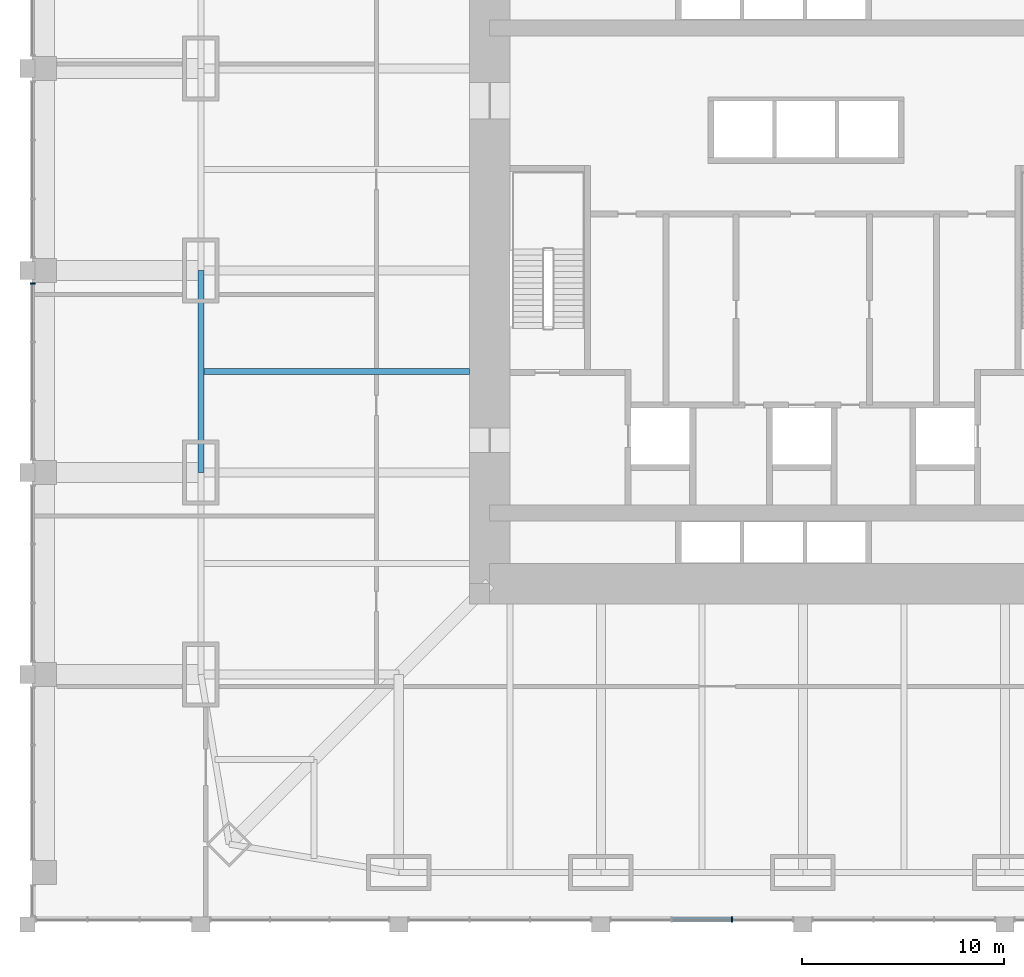
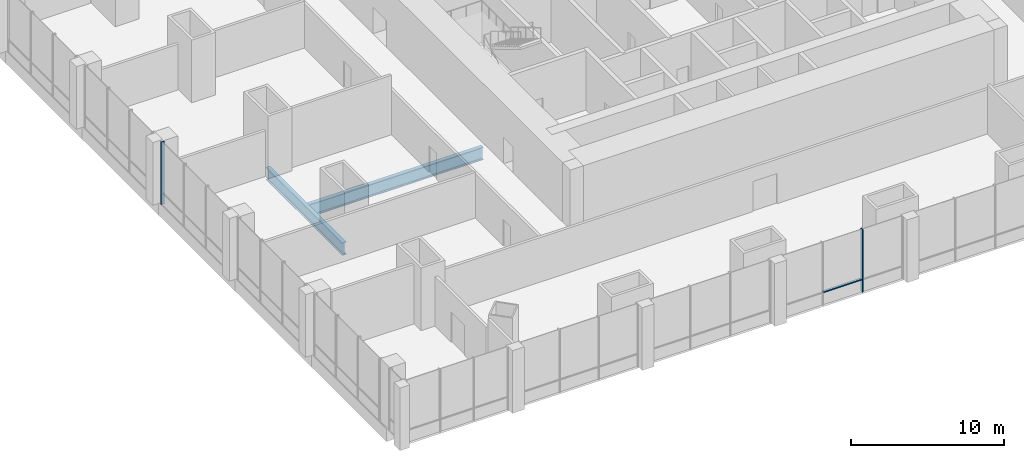
# One storey, part 3 of 22: 3 members, 2 beams, 2 elements without a shape of their own.
"""IFC4 building model written with IfcOpenShell, lengths in metres."""

from ifc_helpers import new_model, si_unit, direction, frame, origin, origin_2d, place, context, subcontext, project, spatial, rectangle, i_section, extrude, material, material_profile, profile_set, type_object, element, aggregate, save


model = new_model("IFC4")

# Units and contexts
model_context = context("Model", 3, precision=1e-05, world=origin(), true_north=direction((0.0, 1.0)))
body_context = subcontext(model_context, "Body", "Model", "MODEL_VIEW")
ifc_project = project(units=[si_unit("LENGTHUNIT", "METRE"), si_unit("AREAUNIT", "SQUARE_METRE"), si_unit("VOLUMEUNIT", "CUBIC_METRE"), si_unit("PLANEANGLEUNIT", "RADIAN"), si_unit("MASSUNIT", "GRAM", prefix="KILO")], contexts=[model_context])

# Site, building, storey
site_placement = place(None, origin())
site = spatial("IfcSite", under=ifc_project, at=site_placement, CompositionType="ELEMENT")
building_placement = place(site_placement, origin())
building = spatial("IfcBuilding", under=site, at=building_placement, Name="Khuree Lantern Residences", CompositionType="ELEMENT")
storey_placement = place(building_placement, frame((0.0, 0.0, 16.0)))
storey = spatial("IfcBuildingStorey", under=building, at=storey_placement, Name="L03", CompositionType="ELEMENT", Elevation=16.0)

# Beams
ifc_material_1 = material(Name="Steel S355", Category="steel")
ifc_material_profile_1 = material_profile(ifc_material_1, i_section(OverallWidth=0.300048828125, OverallDepth=1.0, WebThickness=0.01904296875, FlangeThickness=0.035888671875, FilletRadius=0.030029296875, at=origin_2d()), Name="HE 1000 B")
ifc_profile_set_1 = profile_set([ifc_material_profile_1], Name="Steel S355")
beam_type_1 = type_object("IfcBeamType", Name="B-03 SECONDARY BEAM HE 1000 B", PredefinedType="BEAM", material=ifc_profile_set_1)
beam_1_placement = place(storey_placement, frame((-29.800048828125, -5.0, -0.800048828125), z_axis=(1.0, 0.0, 0.0), x_axis=(0.0, 1.0, 0.0)))
element("IfcBeam", 1, at=beam_1_placement, inside=storey, type_object=beam_type_1, Name="Secondary beam W3", PredefinedType="BEAM", context=body_context, shape_type="SweptSolid", body=[
    extrude(i_section(OverallWidth=0.300048828125, OverallDepth=1.0, WebThickness=0.01904296875, FlangeThickness=0.035888671875, FilletRadius=0.030029296875, at=origin_2d()), origin(), (0.0, 0.0, 1.0), 13.300048828125),
])
ifc_material_profile_2 = material_profile(ifc_material_1, i_section(OverallWidth=0.300048828125, OverallDepth=1.0, WebThickness=0.01904296875, FlangeThickness=0.035888671875, FilletRadius=0.030029296875, at=origin_2d()), Name="HE 1000 B")
ifc_profile_set_2 = profile_set([ifc_material_profile_2], Name="Steel S355")
beam_type_2 = type_object("IfcBeamType", Name="E-03 SPANDREL BEAM HE 1000 B", PredefinedType="SPANDREL", material=ifc_profile_set_2)
beam_2_placement = place(storey_placement, frame((-29.800048828125, -10.0, -0.800048828125), z_axis=(0.0, 1.0, 0.0), x_axis=(-1.0, 0.0, 0.0)))
element("IfcBeam", 2, at=beam_2_placement, inside=storey, type_object=beam_type_2, Name="Spandrel beam W3", PredefinedType="SPANDREL", context=body_context, shape_type="SweptSolid", body=[
    extrude(i_section(OverallWidth=0.300048828125, OverallDepth=1.0, WebThickness=0.01904296875, FlangeThickness=0.035888671875, FilletRadius=0.030029296875, at=origin_2d()), origin(), (0.0, 0.0, 1.0), 10.0),
])

# Curtain wall, member
ifc_material_2 = material(Name="Bronze anodised aluminium", Category="aluminium")
curtain_wall_type = type_object("IfcCurtainWallType", Name="CW-P PODIUM STOREFRONT CURTAIN WALL", PredefinedType="USERDEFINED", material=ifc_material_2)
curtain_wall_1_placement = place(storey_placement, origin())
curtain_wall_1 = element("IfcCurtainWall", 3, at=curtain_wall_1_placement, inside=storey, type_object=curtain_wall_type, Name="L03 SOUTH FACE BAY 4 STOREFRONT", ObjectType="Storefront curtain wall", PredefinedType="USERDEFINED")
ifc_material_profile_3 = material_profile(ifc_material_2, rectangle(XDim=0.074951171875, YDim=0.25, at=origin_2d()), Name="M5 75X250")
ifc_profile_set_3 = profile_set([ifc_material_profile_3], Name="Bronze anodised aluminium")
member_type_1 = type_object("IfcMemberType", Name="MULLION M5 STOREFRONT 75X250", PredefinedType="MULLION", material=ifc_profile_set_3)
member_1_placement = place(storey_placement, frame((-3.495849609375, -32.125, 0.0), z_axis=(0.0, 0.0, 1.0), x_axis=(1.0, 0.0, 0.0)))
member_1 = element("IfcMember", 4, at=member_1_placement, type_object=member_type_1, Name="L03 SOUTH FACE BAY 4 MULLION 3", PredefinedType="MULLION", context=body_context, shape_type="SweptSolid", body=[
    extrude(rectangle(XDim=0.074951171875, YDim=0.25, at=origin_2d()), origin(), (0.0, 0.0, 1.0), 5.0),
])

curtain_wall_2_placement = place(storey_placement, origin())
curtain_wall_2 = element("IfcCurtainWall", 5, at=curtain_wall_2_placement, inside=storey, type_object=curtain_wall_type, Name="L03 WEST FACE BAY 6 STOREFRONT", ObjectType="Storefront curtain wall", PredefinedType="USERDEFINED")
member_2_placement = place(storey_placement, frame((-38.125, -0.637451171875, 0.0), z_axis=(0.0, 0.0, 1.0), x_axis=(0.0, -1.0, 0.0)))
member_2 = element("IfcMember", 6, at=member_2_placement, type_object=member_type_1, Name="L03 WEST FACE BAY 6 MULLION 1", PredefinedType="MULLION", context=body_context, shape_type="SweptSolid", body=[
    extrude(rectangle(XDim=0.074951171875, YDim=0.25, at=origin_2d()), origin(), (0.0, 0.0, 1.0), 5.0),
])
aggregate(curtain_wall_2, [member_2])

# Member
ifc_material_profile_4 = material_profile(ifc_material_2, rectangle(XDim=0.199951171875, YDim=0.074951171875, at=origin_2d()), Name="T5 200X75")
ifc_profile_set_4 = profile_set([ifc_material_profile_4], Name="Bronze anodised aluminium")
member_type_2 = type_object("IfcMemberType", Name="TRANSOM T5 STOREFRONT 200X75", PredefinedType="USERDEFINED", material=ifc_profile_set_4)
member_3_placement = place(storey_placement, frame((-6.466552734375, -32.1201171875, 1.0), z_axis=(1.0, 0.0, 0.0), x_axis=(0.0, 1.0, 0.0)))
member_3 = element("IfcMember", 7, at=member_3_placement, type_object=member_type_2, Name="L03 SOUTH FACE BAY 4 TRANSOM 2", ObjectType="Transom", PredefinedType="USERDEFINED", context=body_context, shape_type="SweptSolid", body=[
    extrude(rectangle(XDim=0.199951171875, YDim=0.074951171875, at=origin_2d()), origin(), (0.0, 0.0, 1.0), 2.93310546875),
])

aggregate(curtain_wall_1, [member_1, member_3])

save(model, "model.ifc")
